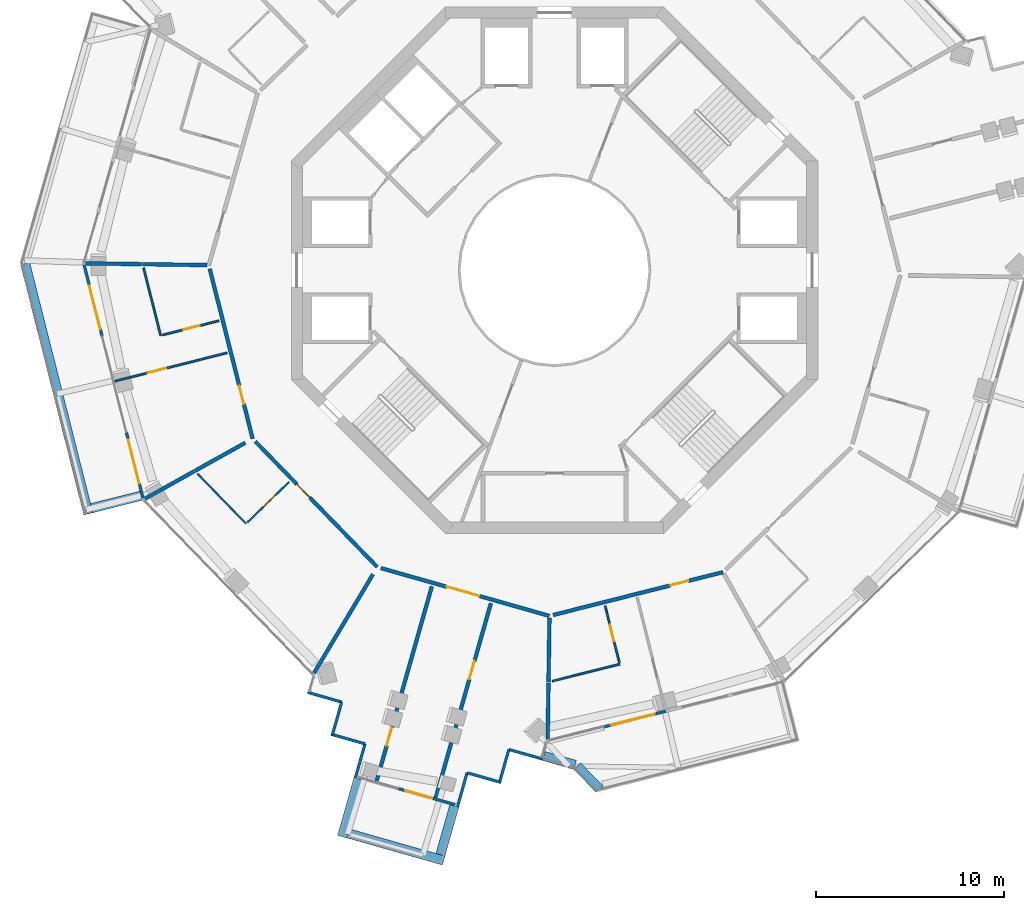
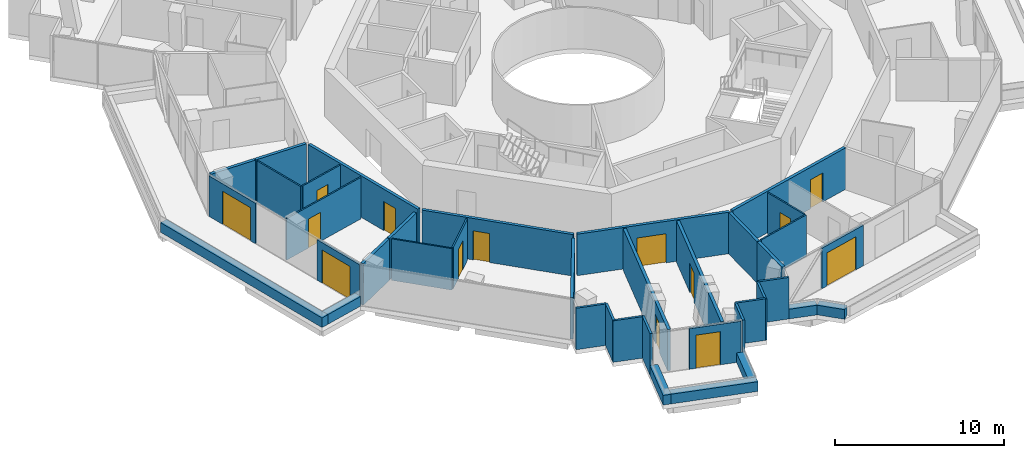
# One storey, part 16 of 24: 39 walls, 14 doors, 14 openings.
"""IFC4 building model written with IfcOpenShell, lengths in metres."""

from ifc_helpers import new_model, si_unit, direction, frame, frame_2d, origin, place, context, subcontext, project, spatial, rectangle, extrude, material, layer, layer_set, type_object, element, fill, save


model = new_model("IFC4")

# Units and contexts
model_context = context("Model", 3, precision=1e-05, world=origin(), true_north=direction((0.0, 1.0)))
body_context = subcontext(model_context, "Body", "Model", "MODEL_VIEW")
ifc_project = project(units=[si_unit("LENGTHUNIT", "METRE"), si_unit("AREAUNIT", "SQUARE_METRE"), si_unit("VOLUMEUNIT", "CUBIC_METRE"), si_unit("PLANEANGLEUNIT", "RADIAN"), si_unit("MASSUNIT", "GRAM", prefix="KILO")], contexts=[model_context])

# Site, building, storey
site_placement = place(None, origin())
site = spatial("IfcSite", under=ifc_project, at=site_placement, CompositionType="ELEMENT")
building_placement = place(site_placement, origin())
building = spatial("IfcBuilding", under=site, at=building_placement, Name="Verdalira Terraces Hotel", CompositionType="ELEMENT")
storey_placement = place(building_placement, frame((0.0, 0.0, 212.5)))
storey = spatial("IfcBuildingStorey", under=building, at=storey_placement, Name="L52", CompositionType="ELEMENT", Elevation=212.5)

# Walls
ifc_material_1 = material(Name="Concrete C40", Category="concrete")
ifc_layer_1 = layer(ifc_material_1, 0.5)
ifc_layer_set_1 = layer_set([ifc_layer_1], Name="Balcony planter trough with tree")
wall_type_1 = type_object("IfcWallType", Name="Balcony planter trough with tree", PredefinedType="SOLIDWALL", material=ifc_layer_set_1)
wall_1_placement = place(storey_placement, frame((-28.148682, 0.3479, 0.0), z_axis=(0.0, 0.0, 1.0), x_axis=(0.244632202, -0.969615948, 0.0)))
element("IfcWall", 1, at=wall_1_placement, inside=storey, type_object=wall_type_1, Name="Balcony planter", PredefinedType="SOLIDWALL", context=body_context, shape_type="SweptSolid", body=[
    extrude(rectangle(XDim=13.723389, YDim=0.5, at=frame_2d((6.861816, 0.0))), origin(), (0.0, 0.0, 1.0), 0.699951),
])
wall_2_placement = place(storey_placement, frame((-24.610352, -12.655029, 0.0), z_axis=(0.0, 0.0, 1.0), x_axis=(0.969602701, 0.244684701, 0.0)))
element("IfcWall", 2, at=wall_2_placement, inside=storey, type_object=wall_type_1, Name="Balcony planter", PredefinedType="SOLIDWALL", context=body_context, shape_type="SweptSolid", body=[
    extrude(rectangle(XDim=2.698975, YDim=0.5, at=frame_2d((1.349609, 0.0))), origin(), (0.0, 0.0, 1.0), 0.699951),
])
wall_3_placement = place(storey_placement, frame((-10.426514, -27.040039, 0.0), z_axis=(0.0, 0.0, 1.0), x_axis=(-0.272976962, -0.962020571, 0.0)))
element("IfcWall", 3, at=wall_3_placement, inside=storey, type_object=wall_type_1, Name="Balcony planter", PredefinedType="SOLIDWALL", context=body_context, shape_type="SweptSolid", body=[
    extrude(rectangle(XDim=3.199219, YDim=0.5, at=frame_2d((1.599609, 0.0))), origin(), (0.0, 0.0, 1.0), 0.699951),
])
wall_4_placement = place(storey_placement, frame((-10.990967, -29.945312, 0.0), z_axis=(0.0, 0.0, 1.0), x_axis=(0.962019527, -0.272980641, 0.0)))
element("IfcWall", 4, at=wall_4_placement, inside=storey, type_object=wall_type_1, Name="Balcony planter", PredefinedType="SOLIDWALL", context=body_context, shape_type="SweptSolid", body=[
    extrude(rectangle(XDim=5.299805, YDim=0.5, at=frame_2d((2.649902, 0.0))), origin(), (0.0, 0.0, 1.0), 0.699951),
])
wall_5_placement = place(storey_placement, frame((-6.064453, -31.083252, 0.0), z_axis=(0.0, 0.0, 1.0), x_axis=(0.272916573, 0.962037704, 0.0)))
element("IfcWall", 5, at=wall_5_placement, inside=storey, type_object=wall_type_1, Name="Balcony planter", PredefinedType="SOLIDWALL", context=body_context, shape_type="SweptSolid", body=[
    extrude(rectangle(XDim=2.698975, YDim=0.5, at=frame_2d((1.349609, 0.0))), origin(), (0.0, 0.0, 1.0), 0.699951),
])
wall_6_placement = place(storey_placement, frame((-0.572021, -25.833252, 0.0), z_axis=(0.0, 0.0, 1.0), x_axis=(0.962049015, -0.272876699, 0.0)))
element("IfcWall", 6, at=wall_6_placement, inside=storey, type_object=wall_type_1, Name="Balcony planter", PredefinedType="SOLIDWALL", context=body_context, shape_type="SweptSolid", body=[
    extrude(rectangle(XDim=1.731201, YDim=0.5, at=frame_2d((0.865723, 0.0))), origin(), (0.0, 0.0, 1.0), 0.699951),
])
wall_7_placement = place(storey_placement, frame((1.20459, -26.37207, 0.0), z_axis=(0.0, 0.0, 1.0), x_axis=(0.696586624, -0.7174727, 0.0)))
element("IfcWall", 7, at=wall_7_placement, inside=storey, type_object=wall_type_1, Name="Balcony planter", PredefinedType="SOLIDWALL", context=body_context, shape_type="SweptSolid", body=[
    extrude(rectangle(XDim=1.694824, YDim=0.5, at=frame_2d((0.847412, 0.0))), origin(), (0.0, 0.0, 1.0), 0.699951),
])
ifc_material_2 = material(Name="Moisture-resistant gypsum board partition")
ifc_layer_2 = layer(ifc_material_2, 0.10009765625)
ifc_layer_set_2 = layer_set([ifc_layer_2], Name="Bathroom partition 100 mm")
wall_type_2 = type_object("IfcWallType", Name="Bathroom partition 100 mm", PredefinedType="PARTITIONING", material=ifc_layer_set_2)
wall_8_placement = place(storey_placement, frame((-21.851807, 0.120361, 0.0), z_axis=(0.0, 0.0, 1.0), x_axis=(0.244659687, -0.969609013, 0.0)))
element("IfcWall", 8, at=wall_8_placement, inside=storey, type_object=wall_type_2, Name="Bathroom partition", PredefinedType="PARTITIONING", context=body_context, shape_type="SweptSolid", body=[
    extrude(rectangle(XDim=3.704102, YDim=0.100098, at=frame_2d((1.852051, 0.0))), origin(), (0.0, 0.0, 1.0), 3.0),
])

# Wall, opening, door
wall_9_placement = place(storey_placement, frame((-23.375732, -5.897705, 0.0), z_axis=(0.0, 0.0, 1.0), x_axis=(0.969619522, 0.244618035, 0.0)))
wall_9 = element("IfcWall", 9, at=wall_9_placement, inside=storey, type_object=wall_type_2, Name="Bathroom partition", PredefinedType="PARTITIONING", context=body_context, shape_type="SweptSolid", body=[
    extrude(rectangle(XDim=6.149902, YDim=0.100098, at=frame_2d((3.074951, 0.0))), origin(), (0.0, 0.0, 1.0), 3.0),
])
opening_1_placement = place(wall_9_placement, frame((1.800049, 0.0, 0.0)))
opening_1 = element("IfcOpeningElement", 10, at=opening_1_placement, cuts=wall_9, Name="Opening L52-109", PredefinedType="OPENING", context=body_context, shape_type="SweptSolid", body=[
    extrude(rectangle(XDim=1.0, YDim=2.100098, at=frame_2d((0.5, 1.050049))), frame((0.0, 0.060059, 0.0), z_axis=(0.0, -1.0, 0.0), x_axis=(1.0, 0.0, 0.0)), (0.0, 0.0, 1.0), 0.120117),
])
ifc_material_3 = material(Name="Timber door", Category="wood")
door_type_1 = type_object("IfcDoorType", Name="Suite internal door 1000 x 2100", OperationType="NOTDEFINED", PredefinedType="DOOR", material=ifc_material_3)
door_1_placement = place(opening_1_placement, origin())
door_1 = element("IfcDoor", 11, at=door_1_placement, inside=storey, type_object=door_type_1, Name="Suite internal door 5204", OperationType="SINGLE_SWING_LEFT", OverallHeight=2.10009765625, OverallWidth=1.0, PredefinedType="DOOR", context=body_context, shape_type="SweptSolid", body=[
    extrude(rectangle(XDim=1.0, YDim=2.100098, at=frame_2d((0.5, 1.050049))), frame((0.0, 0.024902, 0.0), z_axis=(0.0, -1.0, 0.0), x_axis=(1.0, 0.0, 0.0)), (0.0, 0.0, 1.0), 0.050049),
])
fill(opening_1, door_1)

wall_10_placement = place(storey_placement, frame((-20.848633, -3.446533, 0.0), z_axis=(0.0, 0.0, 1.0), x_axis=(0.969621429, 0.244610474, 0.0)))
wall_10 = element("IfcWall", 12, at=wall_10_placement, inside=storey, type_object=wall_type_2, Name="Bathroom partition", PredefinedType="PARTITIONING", context=body_context, shape_type="SweptSolid", body=[
    extrude(rectangle(XDim=3.100098, YDim=0.100098, at=frame_2d((1.550049, 0.0))), origin(), (0.0, 0.0, 1.0), 3.0),
])
opening_2_placement = place(wall_10_placement, frame((1.149902, 0.0, 0.0)))
opening_2 = element("IfcOpeningElement", 13, at=opening_2_placement, cuts=wall_10, Name="Opening L52-110", PredefinedType="OPENING", context=body_context, shape_type="SweptSolid", body=[
    extrude(rectangle(XDim=0.899902, YDim=2.100098, at=frame_2d((0.449951, 1.050049))), frame((0.0, 0.060059, 0.0), z_axis=(0.0, -1.0, 0.0), x_axis=(1.0, 0.0, 0.0)), (0.0, 0.0, 1.0), 0.120117),
])
ifc_material_4 = material(Name="Timber door", Category="wood")
door_type_2 = type_object("IfcDoorType", Name="Bathroom door 900 x 2100", OperationType="NOTDEFINED", PredefinedType="DOOR", material=ifc_material_4)
door_2_placement = place(opening_2_placement, origin())
door_2 = element("IfcDoor", 14, at=door_2_placement, inside=storey, type_object=door_type_2, Name="Bathroom door 5204", OperationType="SINGLE_SWING_LEFT", OverallHeight=2.10009765625, OverallWidth=0.89990234375, PredefinedType="DOOR", context=body_context, shape_type="SweptSolid", body=[
    extrude(rectangle(XDim=0.899902, YDim=2.100098, at=frame_2d((0.449951, 1.050049))), frame((0.0, 0.024902, 0.0), z_axis=(0.0, -1.0, 0.0), x_axis=(1.0, 0.0, 0.0)), (0.0, 0.0, 1.0), 0.050049),
])
fill(opening_2, door_2)

# Wall
wall_11_placement = place(storey_placement, frame((-16.403809, -13.47876, 0.0), z_axis=(0.0, 0.0, 1.0), x_axis=(-0.696682976, 0.71737914, 0.0)))
element("IfcWall", 15, at=wall_11_placement, inside=storey, type_object=wall_type_2, Name="Bathroom partition", PredefinedType="PARTITIONING", context=body_context, shape_type="SweptSolid", body=[
    extrude(rectangle(XDim=3.704102, YDim=0.100098, at=frame_2d((1.852051, 0.0))), origin(), (0.0, 0.0, 1.0), 3.0),
])

# Wall, opening, door
wall_12_placement = place(storey_placement, frame((-16.332275, -13.40918, 0.0), z_axis=(0.0, 0.0, 1.0), x_axis=(0.717425556, 0.696635178, 0.0)))
wall_12 = element("IfcWall", 16, at=wall_12_placement, inside=storey, type_object=wall_type_2, Name="Bathroom partition", PredefinedType="PARTITIONING", context=body_context, shape_type="SweptSolid", body=[
    extrude(rectangle(XDim=3.100098, YDim=0.100098, at=frame_2d((1.550049, 0.0))), origin(), (0.0, 0.0, 1.0), 3.0),
])
opening_3_placement = place(wall_12_placement, frame((1.149902, 0.0, 0.0)))
opening_3 = element("IfcOpeningElement", 17, at=opening_3_placement, cuts=wall_12, Name="Opening L52-112", PredefinedType="OPENING", context=body_context, shape_type="SweptSolid", body=[
    extrude(rectangle(XDim=0.899902, YDim=2.100098, at=frame_2d((0.449951, 1.050049))), frame((0.0, 0.060059, 0.0), z_axis=(0.0, -1.0, 0.0), x_axis=(1.0, 0.0, 0.0)), (0.0, 0.0, 1.0), 0.120117),
])
door_3_placement = place(opening_3_placement, origin())
door_3 = element("IfcDoor", 18, at=door_3_placement, inside=storey, type_object=door_type_2, Name="Bathroom door 5205", OperationType="SINGLE_SWING_LEFT", OverallHeight=2.10009765625, OverallWidth=0.89990234375, PredefinedType="DOOR", context=body_context, shape_type="SweptSolid", body=[
    extrude(rectangle(XDim=0.899902, YDim=2.100098, at=frame_2d((0.449951, 1.050049))), frame((0.0, 0.024902, 0.0), z_axis=(0.0, -1.0, 0.0), x_axis=(1.0, 0.0, 0.0)), (0.0, 0.0, 1.0), 0.050049),
])
fill(opening_3, door_3)

# Wall
wall_13_placement = place(storey_placement, frame((-0.120361, -21.851807, 0.0), z_axis=(0.0, 0.0, 1.0), x_axis=(0.969609013, 0.244659687, 0.0)))
element("IfcWall", 19, at=wall_13_placement, inside=storey, type_object=wall_type_2, Name="Bathroom partition", PredefinedType="PARTITIONING", context=body_context, shape_type="SweptSolid", body=[
    extrude(rectangle(XDim=3.704102, YDim=0.100098, at=frame_2d((1.852051, 0.0))), origin(), (0.0, 0.0, 1.0), 3.0),
])

# Wall, opening, door
wall_14_placement = place(storey_placement, frame((3.446533, -20.848633, 0.0), z_axis=(0.0, 0.0, 1.0), x_axis=(-0.244610474, 0.969621429, 0.0)))
wall_14 = element("IfcWall", 20, at=wall_14_placement, inside=storey, type_object=wall_type_2, Name="Bathroom partition", PredefinedType="PARTITIONING", context=body_context, shape_type="SweptSolid", body=[
    extrude(rectangle(XDim=3.100098, YDim=0.100098, at=frame_2d((1.550049, 0.0))), origin(), (0.0, 0.0, 1.0), 3.0),
])
opening_4_placement = place(wall_14_placement, frame((1.149902, 0.0, 0.0)))
opening_4 = element("IfcOpeningElement", 21, at=opening_4_placement, cuts=wall_14, Name="Opening L52-118", PredefinedType="OPENING", context=body_context, shape_type="SweptSolid", body=[
    extrude(rectangle(XDim=0.899902, YDim=2.100098, at=frame_2d((0.449951, 1.050049))), frame((0.0, 0.060059, 0.0), z_axis=(0.0, -1.0, 0.0), x_axis=(1.0, 0.0, 0.0)), (0.0, 0.0, 1.0), 0.120117),
])
door_4_placement = place(opening_4_placement, origin())
door_4 = element("IfcDoor", 22, at=door_4_placement, inside=storey, type_object=door_type_2, Name="Bathroom door 5207", OperationType="SINGLE_SWING_LEFT", OverallHeight=2.10009765625, OverallWidth=0.89990234375, PredefinedType="DOOR", context=body_context, shape_type="SweptSolid", body=[
    extrude(rectangle(XDim=0.899902, YDim=2.100098, at=frame_2d((0.449951, 1.050049))), frame((0.0, 0.024902, 0.0), z_axis=(0.0, -1.0, 0.0), x_axis=(1.0, 0.0, 0.0)), (0.0, 0.0, 1.0), 0.050049),
])
fill(opening_4, door_4)

# Walls
ifc_material_5 = material(Name="Fire-rated gypsum board wall")
ifc_layer_3 = layer(ifc_material_5, 0.199951171875)
ifc_layer_set_3 = layer_set([ifc_layer_3], Name="Demising wall 200 mm")
wall_type_3 = type_object("IfcWallType", Name="Demising wall 200 mm", PredefinedType="SOLIDWALL", material=ifc_layer_set_3)
wall_15_placement = place(storey_placement, frame((-21.950195, 0.321777, 0.0), z_axis=(0.0, 0.0, 1.0), x_axis=(-0.999892341, 0.014673303, 0.0)))
element("IfcWall", 23, at=wall_15_placement, inside=storey, type_object=wall_type_3, Name="Demising wall", PredefinedType="SOLIDWALL", context=body_context, shape_type="SweptSolid", body=[
    extrude(rectangle(XDim=3.011475, YDim=0.199951, at=frame_2d((1.505859, 0.0))), origin(), (0.0, 0.0, 1.0), 3.0),
])
wall_16_placement = place(storey_placement, frame((-19.17041, -10.696289, 0.0), z_axis=(0.0, 0.0, 1.0), x_axis=(-0.873241825, -0.487287097, 0.0)))
element("IfcWall", 24, at=wall_16_placement, inside=storey, type_object=wall_type_3, Name="Demising wall", PredefinedType="SOLIDWALL", context=body_context, shape_type="SweptSolid", body=[
    extrude(rectangle(XDim=3.011719, YDim=0.199951, at=frame_2d((1.505859, 0.0))), origin(), (0.0, 0.0, 1.0), 3.0),
])
wall_17_placement = place(storey_placement, frame((-18.486328, 0.270996, 0.0), z_axis=(0.0, 0.0, 1.0), x_axis=(-0.999891762, 0.014712693, 0.0)))
element("IfcWall", 25, at=wall_17_placement, inside=storey, type_object=wall_type_3, Name="Demising wall", PredefinedType="SOLIDWALL", context=body_context, shape_type="SweptSolid", body=[
    extrude(rectangle(XDim=3.418457, YDim=0.199951, at=frame_2d((1.709229, 0.0))), origin(), (0.0, 0.0, 1.0), 3.0),
])
wall_18_placement = place(storey_placement, frame((-16.445312, -9.175781, 0.0), z_axis=(0.0, 0.0, 1.0), x_axis=(-0.873245633, -0.487280274, 0.0)))
element("IfcWall", 26, at=wall_18_placement, inside=storey, type_object=wall_type_3, Name="Demising wall", PredefinedType="SOLIDWALL", context=body_context, shape_type="SweptSolid", body=[
    extrude(rectangle(XDim=3.074707, YDim=0.199951, at=frame_2d((1.537354, 0.0))), origin(), (0.0, 0.0, 1.0), 3.0),
])
wall_19_placement = place(storey_placement, frame((-12.797607, -21.434082, 0.0), z_axis=(0.0, 0.0, 1.0), x_axis=(0.512650222, 0.858597548, 0.0)))
element("IfcWall", 27, at=wall_19_placement, inside=storey, type_object=wall_type_3, Name="Demising wall", PredefinedType="SOLIDWALL", context=body_context, shape_type="SweptSolid", body=[
    extrude(rectangle(XDim=6.13208, YDim=0.199951, at=frame_2d((3.065918, 0.0))), origin(), (0.0, 0.0, 1.0), 3.0),
])

# Wall, opening, door
wall_20_placement = place(storey_placement, frame((-9.458984, -27.157715, 0.0), z_axis=(0.0, 0.0, 1.0), x_axis=(0.272959945, 0.962025399, 0.0)))
wall_20 = element("IfcWall", 28, at=wall_20_placement, inside=storey, type_object=wall_type_3, Name="Demising wall", PredefinedType="SOLIDWALL", context=body_context, shape_type="SweptSolid", body=[
    extrude(rectangle(XDim=10.75, YDim=0.199951, at=frame_2d((5.375, 0.0))), origin(), (0.0, 0.0, 1.0), 3.0),
])
opening_5_placement = place(wall_20_placement, frame((1.949951, 0.0, 0.0)))
opening_5 = element("IfcOpeningElement", 29, at=opening_5_placement, cuts=wall_20, Name="Opening L52-114", PredefinedType="OPENING", context=body_context, shape_type="SweptSolid", body=[
    extrude(rectangle(XDim=1.0, YDim=2.100098, at=frame_2d((0.5, 1.050049))), frame((0.0, 0.109863, 0.0), z_axis=(0.0, -1.0, 0.0), x_axis=(1.0, 0.0, 0.0)), (0.0, 0.0, 1.0), 0.219971),
])
ifc_material_6 = material(Name="Timber fire door", Category="wood")
door_type_3 = type_object("IfcDoorType", Name="Public room door 1000 x 2100", OperationType="NOTDEFINED", PredefinedType="DOOR", material=ifc_material_6)
door_5_placement = place(opening_5_placement, origin())
door_5 = element("IfcDoor", 30, at=door_5_placement, inside=storey, type_object=door_type_3, Name="Public room door 5206", OperationType="SINGLE_SWING_LEFT", OverallHeight=2.10009765625, OverallWidth=1.0, PredefinedType="DOOR", context=body_context, shape_type="SweptSolid", body=[
    extrude(rectangle(XDim=1.0, YDim=2.100098, at=frame_2d((0.5, 1.050049))), frame((0.0, 0.024902, 0.0), z_axis=(0.0, -1.0, 0.0), x_axis=(1.0, 0.0, 0.0)), (0.0, 0.0, 1.0), 0.050049),
])
fill(opening_5, door_5)

wall_21_placement = place(storey_placement, frame((-3.384033, -17.707031, 0.0), z_axis=(0.0, 0.0, 1.0), x_axis=(-0.272938926, -0.962031363, 0.0)))
wall_21 = element("IfcWall", 31, at=wall_21_placement, inside=storey, type_object=wall_type_3, Name="Demising wall", PredefinedType="SOLIDWALL", context=body_context, shape_type="SweptSolid", body=[
    extrude(rectangle(XDim=10.75, YDim=0.199951, at=frame_2d((5.375, 0.0))), origin(), (0.0, 0.0, 1.0), 3.0),
])
opening_6_placement = place(wall_21_placement, frame((3.199951, 0.0, 0.0)))
opening_6 = element("IfcOpeningElement", 32, at=opening_6_placement, cuts=wall_21, Name="Opening L52-115", PredefinedType="OPENING", context=body_context, shape_type="SweptSolid", body=[
    extrude(rectangle(XDim=1.0, YDim=2.100098, at=frame_2d((0.5, 1.050049))), frame((0.0, 0.109863, 0.0), z_axis=(0.0, -1.0, 0.0), x_axis=(1.0, 0.0, 0.0)), (0.0, 0.0, 1.0), 0.219971),
])
door_6_placement = place(opening_6_placement, origin())
door_6 = element("IfcDoor", 33, at=door_6_placement, inside=storey, type_object=door_type_3, Name="Public room door 5206", OperationType="SINGLE_SWING_LEFT", OverallHeight=2.10009765625, OverallWidth=1.0, PredefinedType="DOOR", context=body_context, shape_type="SweptSolid", body=[
    extrude(rectangle(XDim=1.0, YDim=2.100098, at=frame_2d((0.5, 1.050049))), frame((0.0, 0.024902, 0.0), z_axis=(0.0, -1.0, 0.0), x_axis=(1.0, 0.0, 0.0)), (0.0, 0.0, 1.0), 0.050049),
])
fill(opening_6, door_6)

# Walls
wall_22_placement = place(storey_placement, frame((-0.321777, -21.950195, 0.0), z_axis=(0.0, 0.0, 1.0), x_axis=(-0.014673303, -0.999892341, 0.0)))
element("IfcWall", 34, at=wall_22_placement, inside=storey, type_object=wall_type_3, Name="Demising wall", PredefinedType="SOLIDWALL", context=body_context, shape_type="SweptSolid", body=[
    extrude(rectangle(XDim=3.011475, YDim=0.199951, at=frame_2d((1.505859, 0.0))), origin(), (0.0, 0.0, 1.0), 3.0),
])
wall_23_placement = place(storey_placement, frame((-0.270996, -18.486328, 0.0), z_axis=(0.0, 0.0, 1.0), x_axis=(-0.014712693, -0.999891762, 0.0)))
element("IfcWall", 35, at=wall_23_placement, inside=storey, type_object=wall_type_3, Name="Demising wall", PredefinedType="SOLIDWALL", context=body_context, shape_type="SweptSolid", body=[
    extrude(rectangle(XDim=3.418457, YDim=0.199951, at=frame_2d((1.709229, 0.0))), origin(), (0.0, 0.0, 1.0), 3.0),
])

# Wall, opening, door
ifc_material_7 = material(Name="Fire-rated gypsum board wall")
ifc_layer_4 = layer(ifc_material_7, 0.199951171875)
ifc_layer_set_4 = layer_set([ifc_layer_4], Name="Guest corridor wall 200 mm")
wall_type_4 = type_object("IfcWallType", Name="Guest corridor wall 200 mm", PredefinedType="SOLIDWALL", material=ifc_layer_set_4)
wall_24_placement = place(storey_placement, frame((-16.054688, -8.958008, 0.0), z_axis=(0.0, 0.0, 1.0), x_axis=(-0.244643731, 0.969613039, 0.0)))
wall_24 = element("IfcWall", 36, at=wall_24_placement, inside=storey, type_object=wall_type_4, Name="Guest corridor wall", PredefinedType="SOLIDWALL", context=body_context, shape_type="SweptSolid", body=[
    extrude(rectangle(XDim=9.316895, YDim=0.199951, at=frame_2d((4.658447, 0.0))), origin(), (0.0, 0.0, 1.0), 3.0),
])
opening_7_placement = place(wall_24_placement, frame((1.899902, 0.0, 0.0)))
opening_7 = element("IfcOpeningElement", 37, at=opening_7_placement, cuts=wall_24, Name="Opening L52-108", PredefinedType="OPENING", context=body_context, shape_type="SweptSolid", body=[
    extrude(rectangle(XDim=1.0, YDim=2.100098, at=frame_2d((0.5, 1.050049))), frame((0.0, 0.109863, 0.0), z_axis=(0.0, -1.0, 0.0), x_axis=(1.0, 0.0, 0.0)), (0.0, 0.0, 1.0), 0.219971),
])
ifc_material_8 = material(Name="Timber fire door", Category="wood")
door_type_4 = type_object("IfcDoorType", Name="Guest entry door 1000 x 2100", OperationType="NOTDEFINED", PredefinedType="DOOR", material=ifc_material_8)
door_7_placement = place(opening_7_placement, origin())
door_7 = element("IfcDoor", 38, at=door_7_placement, inside=storey, type_object=door_type_4, Name="Guest entry door 5204", OperationType="SINGLE_SWING_LEFT", OverallHeight=2.10009765625, OverallWidth=1.0, PredefinedType="DOOR", context=body_context, shape_type="SweptSolid", body=[
    extrude(rectangle(XDim=1.0, YDim=2.100098, at=frame_2d((0.5, 1.050049))), frame((0.0, 0.024902, 0.0), z_axis=(0.0, -1.0, 0.0), x_axis=(1.0, 0.0, 0.0)), (0.0, 0.0, 1.0), 0.050049),
])
fill(opening_7, door_7)

wall_25_placement = place(storey_placement, frame((-9.424805, -15.785156, 0.0), z_axis=(0.0, 0.0, 1.0), x_axis=(-0.696666645, 0.717395, 0.0)))
wall_25 = element("IfcWall", 39, at=wall_25_placement, inside=storey, type_object=wall_type_4, Name="Guest corridor wall", PredefinedType="SOLIDWALL", context=body_context, shape_type="SweptSolid", body=[
    extrude(rectangle(XDim=9.316406, YDim=0.199951, at=frame_2d((4.658203, 0.0))), origin(), (0.0, 0.0, 1.0), 3.0),
])
opening_8_placement = place(wall_25_placement, frame((5.149902, 0.0, 0.0)))
opening_8 = element("IfcOpeningElement", 40, at=opening_8_placement, cuts=wall_25, Name="Opening L52-111", PredefinedType="OPENING", context=body_context, shape_type="SweptSolid", body=[
    extrude(rectangle(XDim=1.0, YDim=2.100098, at=frame_2d((0.5, 1.050049))), frame((0.0, 0.109863, 0.0), z_axis=(0.0, -1.0, 0.0), x_axis=(1.0, 0.0, 0.0)), (0.0, 0.0, 1.0), 0.219971),
])
door_8_placement = place(opening_8_placement, origin())
door_8 = element("IfcDoor", 41, at=door_8_placement, inside=storey, type_object=door_type_4, Name="Guest entry door 5205", OperationType="SINGLE_SWING_LEFT", OverallHeight=2.10009765625, OverallWidth=1.0, PredefinedType="DOOR", context=body_context, shape_type="SweptSolid", body=[
    extrude(rectangle(XDim=1.0, YDim=2.100098, at=frame_2d((0.5, 1.050049))), frame((0.0, 0.024902, 0.0), z_axis=(0.0, -1.0, 0.0), x_axis=(1.0, 0.0, 0.0)), (0.0, 0.0, 1.0), 0.050049),
])
fill(opening_8, door_8)

wall_26_placement = place(storey_placement, frame((-0.269531, -18.382812, 0.0), z_axis=(0.0, 0.0, 1.0), x_axis=(-0.96202861, 0.272948627, 0.0)))
wall_26 = element("IfcWall", 42, at=wall_26_placement, inside=storey, type_object=wall_type_4, Name="Guest corridor wall", PredefinedType="SOLIDWALL", context=body_context, shape_type="SweptSolid", body=[
    extrude(rectangle(XDim=9.31665, YDim=0.199951, at=frame_2d((4.658203, 0.0))), origin(), (0.0, 0.0, 1.0), 3.0),
])
opening_9_placement = place(wall_26_placement, frame((3.880615, 0.0, 0.0)))
opening_9 = element("IfcOpeningElement", 43, at=opening_9_placement, cuts=wall_26, Name="Opening L52-113", PredefinedType="OPENING", context=body_context, shape_type="SweptSolid", body=[
    extrude(rectangle(XDim=1.800049, YDim=2.100098, at=frame_2d((0.899902, 1.050049))), frame((0.0, 0.109863, 0.0), z_axis=(0.0, -1.0, 0.0), x_axis=(1.0, 0.0, 0.0)), (0.0, 0.0, 1.0), 0.219971),
])
ifc_material_9 = material(Name="Timber fire door", Category="wood")
door_type_5 = type_object("IfcDoorType", Name="Public room double door 1800 x 2100", OperationType="NOTDEFINED", PredefinedType="DOOR", material=ifc_material_9)
door_9_placement = place(opening_9_placement, origin())
door_9 = element("IfcDoor", 44, at=door_9_placement, inside=storey, type_object=door_type_5, Name="Public room double door 5206", OperationType="DOUBLE_DOOR_SINGLE_SWING", OverallHeight=2.10009765625, OverallWidth=1.800048828125, PredefinedType="DOOR", context=body_context, shape_type="SweptSolid", body=[
    extrude(rectangle(XDim=1.800049, YDim=2.100098, at=frame_2d((0.899902, 1.050049))), frame((0.0, 0.024902, 0.0), z_axis=(0.0, -1.0, 0.0), x_axis=(1.0, 0.0, 0.0)), (0.0, 0.0, 1.0), 0.050049),
])
fill(opening_9, door_9)

wall_27_placement = place(storey_placement, frame((8.958008, -16.054688, 0.0), z_axis=(0.0, 0.0, 1.0), x_axis=(-0.969613039, -0.244643731, 0.0)))
wall_27 = element("IfcWall", 45, at=wall_27_placement, inside=storey, type_object=wall_type_4, Name="Guest corridor wall", PredefinedType="SOLIDWALL", context=body_context, shape_type="SweptSolid", body=[
    extrude(rectangle(XDim=9.316895, YDim=0.199951, at=frame_2d((4.658447, 0.0))), origin(), (0.0, 0.0, 1.0), 3.0),
])
opening_10_placement = place(wall_27_placement, frame((1.899902, 0.0, 0.0)))
opening_10 = element("IfcOpeningElement", 46, at=opening_10_placement, cuts=wall_27, Name="Opening L52-116", PredefinedType="OPENING", context=body_context, shape_type="SweptSolid", body=[
    extrude(rectangle(XDim=1.0, YDim=2.100098, at=frame_2d((0.5, 1.050049))), frame((0.0, 0.109863, 0.0), z_axis=(0.0, -1.0, 0.0), x_axis=(1.0, 0.0, 0.0)), (0.0, 0.0, 1.0), 0.219971),
])
door_10_placement = place(opening_10_placement, origin())
door_10 = element("IfcDoor", 47, at=door_10_placement, inside=storey, type_object=door_type_4, Name="Guest entry door 5207", OperationType="SINGLE_SWING_LEFT", OverallHeight=2.10009765625, OverallWidth=1.0, PredefinedType="DOOR", context=body_context, shape_type="SweptSolid", body=[
    extrude(rectangle(XDim=1.0, YDim=2.100098, at=frame_2d((0.5, 1.050049))), frame((0.0, 0.024902, 0.0), z_axis=(0.0, -1.0, 0.0), x_axis=(1.0, 0.0, 0.0)), (0.0, 0.0, 1.0), 0.050049),
])
fill(opening_10, door_10)

# Walls
ifc_material_10 = material(Name="Terracotta cladding", Category="masonry")
ifc_layer_5 = layer(ifc_material_10, 0.14990234375)
ifc_layer_set_5 = layer_set([ifc_layer_5], Name="Terracotta clad wall 150")
wall_type_5 = type_object("IfcWallType", Name="Terracotta clad wall 150", PredefinedType="SOLIDWALL", material=ifc_layer_set_5)
wall_28_placement = place(storey_placement, frame((-13.126953, -22.452881, 0.0), z_axis=(0.0, 0.0, 1.0), x_axis=(0.962033319, -0.27293203, 0.0)))
element("IfcWall", 48, at=wall_28_placement, inside=storey, type_object=wall_type_5, Name="Terracotta cladding wall", PredefinedType="SOLIDWALL", context=body_context, shape_type="SweptSolid", body=[
    extrude(rectangle(XDim=1.875, YDim=0.149902, at=frame_2d((0.9375, 0.0))), origin(), (0.0, 0.0, 1.0), 3.0),
])
wall_29_placement = place(storey_placement, frame((-11.323242, -22.9646, 0.0), z_axis=(0.0, 0.0, 1.0), x_axis=(-0.272893426, -0.96204427, 0.0)))
element("IfcWall", 49, at=wall_29_placement, inside=storey, type_object=wall_type_5, Name="Terracotta cladding wall", PredefinedType="SOLIDWALL", context=body_context, shape_type="SweptSolid", body=[
    extrude(rectangle(XDim=1.800049, YDim=0.149902, at=frame_2d((0.899902, 0.0))), origin(), (0.0, 0.0, 1.0), 3.0),
])
for number, where, z_axis, x_axis, name in (
    (50, (-11.886719, -24.675781, 0.0), (0.0, 0.0, 1.0), (0.962043017, -0.272897843, 0.0), "Terracotta cladding wall"),
    (51, (-10.082764, -25.1875, 0.0), (0.0, 0.0, 1.0), (-0.27301834, -0.962008828, 0.0), "Terracotta cladding wall"),
    (52, (-5.15918, -28.533691, 0.0), (0.0, 0.0, 1.0), (0.272897843, 0.962043017, 0.0), "Terracotta cladding wall"),
):
    element("IfcWall", number, at=place(storey_placement, frame(where, z_axis=z_axis, x_axis=x_axis)), inside=storey, type_object=wall_type_5, Name=name, PredefinedType="SOLIDWALL", context=body_context, shape_type="SweptSolid", body=[
        extrude(rectangle(XDim=1.875244, YDim=0.149902, at=frame_2d((0.9375, 0.0))), origin(), (0.0, 0.0, 1.0), 3.0),
    ])
wall_30_placement = place(storey_placement, frame((-4.647461, -26.729736, 0.0), z_axis=(0.0, 0.0, 1.0), x_axis=(0.962008655, -0.273018951, 0.0)))
element("IfcWall", 53, at=wall_30_placement, inside=storey, type_object=wall_type_5, Name="Terracotta cladding wall", PredefinedType="SOLIDWALL", context=body_context, shape_type="SweptSolid", body=[
    extrude(rectangle(XDim=1.800049, YDim=0.149902, at=frame_2d((0.899902, 0.0))), origin(), (0.0, 0.0, 1.0), 3.0),
])
wall_31_placement = place(storey_placement, frame((-2.936279, -27.293213, 0.0), z_axis=(0.0, 0.0, 1.0), x_axis=(0.27293203, 0.962033319, 0.0)))
element("IfcWall", 54, at=wall_31_placement, inside=storey, type_object=wall_type_5, Name="Terracotta cladding wall", PredefinedType="SOLIDWALL", context=body_context, shape_type="SweptSolid", body=[
    extrude(rectangle(XDim=1.875, YDim=0.149902, at=frame_2d((0.9375, 0.0))), origin(), (0.0, 0.0, 1.0), 3.0),
])
wall_32_placement = place(storey_placement, frame((-2.424561, -25.489502, 0.0), z_axis=(0.0, 0.0, 1.0), x_axis=(0.962043017, -0.272897843, 0.0)))
element("IfcWall", 55, at=wall_32_placement, inside=storey, type_object=wall_type_5, Name="Terracotta cladding wall", PredefinedType="SOLIDWALL", context=body_context, shape_type="SweptSolid", body=[
    extrude(rectangle(XDim=1.875244, YDim=0.149902, at=frame_2d((0.9375, 0.0))), origin(), (0.0, 0.0, 1.0), 3.0),
])

# Wall, opening, door
ifc_material_11 = material(Name="Terracotta cladding", Category="masonry")
ifc_layer_6 = layer(ifc_material_11, 0.14990234375)
ifc_layer_set_6 = layer_set([ifc_layer_6], Name="Terracotta door pier 150")
wall_type_6 = type_object("IfcWallType", Name="Terracotta door pier 150", PredefinedType="SOLIDWALL", material=ifc_layer_set_6)
wall_33_placement = place(storey_placement, frame((-25.01416, 0.289307, 0.0), z_axis=(0.0, 0.0, 1.0), x_axis=(0.244646014, -0.969612463, 0.0)))
wall_33 = element("IfcWall", 56, at=wall_33_placement, inside=storey, type_object=wall_type_6, Name="Terracotta door pier", PredefinedType="SOLIDWALL", context=body_context, shape_type="SweptSolid", body=[
    extrude(rectangle(XDim=3.945801, YDim=0.149902, at=frame_2d((1.9729, 0.0))), origin(), (0.0, 0.0, 1.0), 2.935059),
])
opening_11_placement = place(wall_33_placement, frame((1.145996, 0.0, 0.0)))
opening_11 = element("IfcOpeningElement", 57, at=opening_11_placement, cuts=wall_33, Name="Opening L52-B03", PredefinedType="OPENING", context=body_context, shape_type="SweptSolid", body=[
    extrude(rectangle(XDim=2.399902, YDim=2.399902, at=frame_2d((1.199951, 1.199951))), frame((0.0, 0.084961, 0.0), z_axis=(0.0, -1.0, 0.0), x_axis=(1.0, 0.0, 0.0)), (0.0, 0.0, 1.0), 0.169922),
])
ifc_material_12 = material(Name="Clear glass", Category="glass")
door_type_6 = type_object("IfcDoorType", Name="Balcony sliding door 2400x2400", OperationType="NOTDEFINED", PredefinedType="DOOR", material=ifc_material_12)
door_11_placement = place(opening_11_placement, origin())
door_11 = element("IfcDoor", 58, at=door_11_placement, inside=storey, type_object=door_type_6, Name="Balcony sliding door", OperationType="SLIDING_TO_LEFT", OverallHeight=2.39990234375, OverallWidth=2.39990234375, PredefinedType="DOOR", context=body_context, shape_type="SweptSolid", body=[
    extrude(rectangle(XDim=2.399902, YDim=2.399902, at=frame_2d((1.199951, 1.199951))), frame((0.0, 0.024902, 0.0), z_axis=(0.0, -1.0, 0.0), x_axis=(1.0, 0.0, 0.0)), (0.0, 0.0, 1.0), 0.050049),
])
fill(opening_11, door_11)

wall_34_placement = place(storey_placement, frame((-22.765869, -8.622314, 0.0), z_axis=(0.0, 0.0, 1.0), x_axis=(0.244636305, -0.969614912, 0.0)))
wall_34 = element("IfcWall", 59, at=wall_34_placement, inside=storey, type_object=wall_type_6, Name="Terracotta door pier", PredefinedType="SOLIDWALL", context=body_context, shape_type="SweptSolid", body=[
    extrude(rectangle(XDim=3.608643, YDim=0.149902, at=frame_2d((1.804199, 0.0))), origin(), (0.0, 0.0, 1.0), 2.935059),
])
opening_12_placement = place(wall_34_placement, frame((0.399902, 0.0, 0.0)))
opening_12 = element("IfcOpeningElement", 60, at=opening_12_placement, cuts=wall_34, Name="Opening L52-B04", PredefinedType="OPENING", context=body_context, shape_type="SweptSolid", body=[
    extrude(rectangle(XDim=2.399902, YDim=2.399902, at=frame_2d((1.199951, 1.199951))), frame((0.0, 0.084961, 0.0), z_axis=(0.0, -1.0, 0.0), x_axis=(1.0, 0.0, 0.0)), (0.0, 0.0, 1.0), 0.169922),
])
door_12_placement = place(opening_12_placement, origin())
door_12 = element("IfcDoor", 61, at=door_12_placement, inside=storey, type_object=door_type_6, Name="Balcony sliding door", OperationType="SLIDING_TO_RIGHT", OverallHeight=2.39990234375, OverallWidth=2.39990234375, PredefinedType="DOOR", context=body_context, shape_type="SweptSolid", body=[
    extrude(rectangle(XDim=2.399902, YDim=2.399902, at=frame_2d((1.199951, 1.199951))), frame((0.0, 0.024902, 0.0), z_axis=(0.0, -1.0, 0.0), x_axis=(1.0, 0.0, 0.0)), (0.0, 0.0, 1.0), 0.050049),
])
fill(opening_12, door_12)

wall_35_placement = place(storey_placement, frame((-8.327881, -27.556641, 0.0), z_axis=(0.0, 0.0, 1.0), x_axis=(0.962026696, -0.272955374, 0.0)))
wall_35 = element("IfcWall", 62, at=wall_35_placement, inside=storey, type_object=wall_type_6, Name="Terracotta door pier", PredefinedType="SOLIDWALL", context=body_context, shape_type="SweptSolid", body=[
    extrude(rectangle(XDim=3.160156, YDim=0.149902, at=frame_2d((1.580078, 0.0))), origin(), (0.0, 0.0, 1.0), 2.935059),
])
opening_13_placement = place(wall_35_placement, frame((0.399902, 0.0, 0.0)))
opening_13 = element("IfcOpeningElement", 63, at=opening_13_placement, cuts=wall_35, Name="Opening L52-B05", PredefinedType="OPENING", context=body_context, shape_type="SweptSolid", body=[
    extrude(rectangle(XDim=1.5, YDim=2.399902, at=frame_2d((0.75, 1.199951))), frame((0.0, 0.084961, 0.0), z_axis=(0.0, -1.0, 0.0), x_axis=(1.0, 0.0, 0.0)), (0.0, 0.0, 1.0), 0.169922),
])
ifc_material_13 = material(Name="Clear glass", Category="glass")
door_type_7 = type_object("IfcDoorType", Name="Balcony sliding door 1500x2400", OperationType="NOTDEFINED", PredefinedType="DOOR", material=ifc_material_13)
door_13_placement = place(opening_13_placement, origin())
door_13 = element("IfcDoor", 64, at=door_13_placement, inside=storey, type_object=door_type_7, Name="Balcony sliding door", OperationType="SLIDING_TO_RIGHT", OverallHeight=2.39990234375, OverallWidth=1.5, PredefinedType="DOOR", context=body_context, shape_type="SweptSolid", body=[
    extrude(rectangle(XDim=1.5, YDim=2.399902, at=frame_2d((0.75, 1.199951))), frame((0.0, 0.024902, 0.0), z_axis=(0.0, -1.0, 0.0), x_axis=(1.0, 0.0, 0.0)), (0.0, 0.0, 1.0), 0.050049),
])
fill(opening_13, door_13)

wall_36_placement = place(storey_placement, frame((2.619385, -24.280273, 0.0), z_axis=(0.0, 0.0, 1.0), x_axis=(0.969612207, 0.244647026, 0.0)))
wall_36 = element("IfcWall", 65, at=wall_36_placement, inside=storey, type_object=wall_type_6, Name="Terracotta door pier", PredefinedType="SOLIDWALL", context=body_context, shape_type="SweptSolid", body=[
    extrude(rectangle(XDim=3.399902, YDim=0.149902, at=frame_2d((1.699951, 0.0))), origin(), (0.0, 0.0, 1.0), 2.935059),
])
opening_14_placement = place(wall_36_placement, frame((0.399902, 0.0, 0.0)))
opening_14 = element("IfcOpeningElement", 66, at=opening_14_placement, cuts=wall_36, Name="Opening L52-B06", PredefinedType="OPENING", context=body_context, shape_type="SweptSolid", body=[
    extrude(rectangle(XDim=2.399902, YDim=2.399902, at=frame_2d((1.199951, 1.199951))), frame((0.0, 0.084961, 0.0), z_axis=(0.0, -1.0, 0.0), x_axis=(1.0, 0.0, 0.0)), (0.0, 0.0, 1.0), 0.169922),
])
door_14_placement = place(opening_14_placement, origin())
door_14 = element("IfcDoor", 67, at=door_14_placement, inside=storey, type_object=door_type_6, Name="Balcony sliding door", OperationType="SLIDING_TO_RIGHT", OverallHeight=2.39990234375, OverallWidth=2.39990234375, PredefinedType="DOOR", context=body_context, shape_type="SweptSolid", body=[
    extrude(rectangle(XDim=2.399902, YDim=2.399902, at=frame_2d((1.199951, 1.199951))), frame((0.0, 0.024902, 0.0), z_axis=(0.0, -1.0, 0.0), x_axis=(1.0, 0.0, 0.0)), (0.0, 0.0, 1.0), 0.050049),
])
fill(opening_14, door_14)

save(model, "model.ifc")
